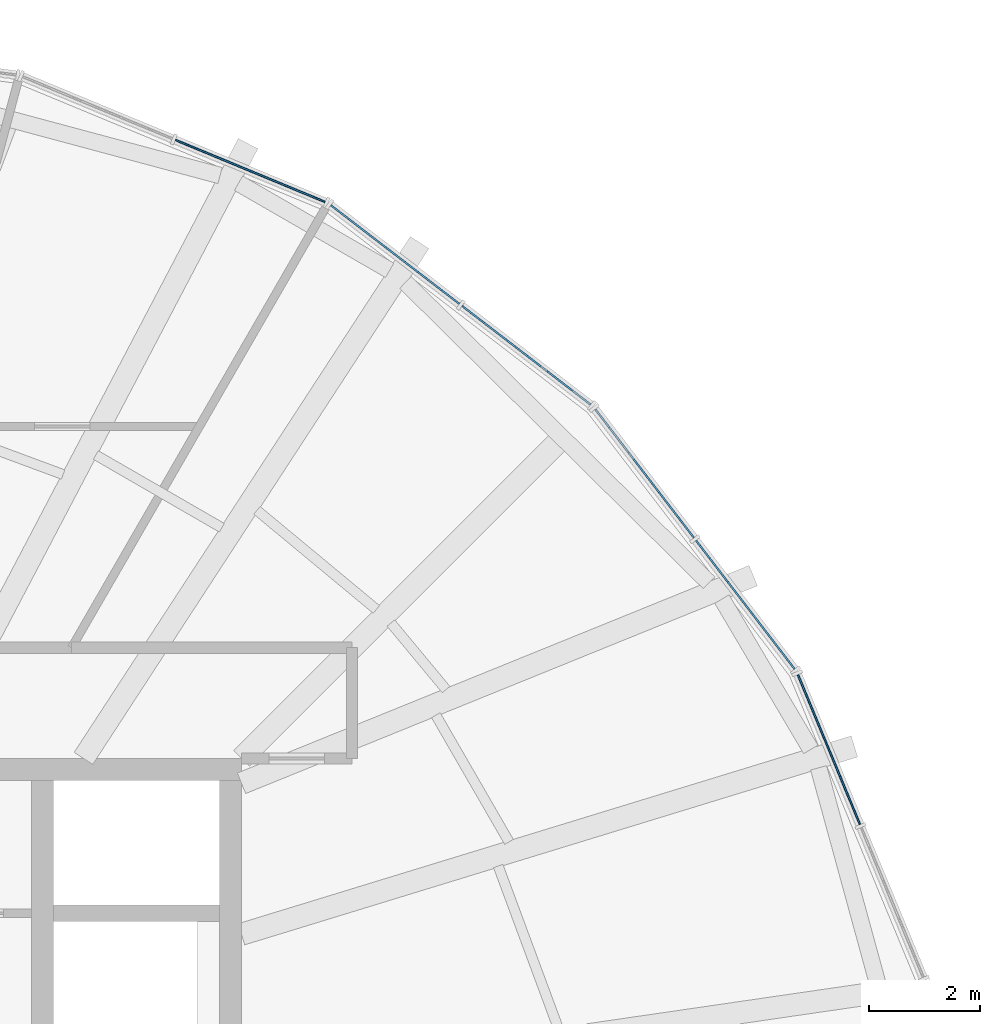
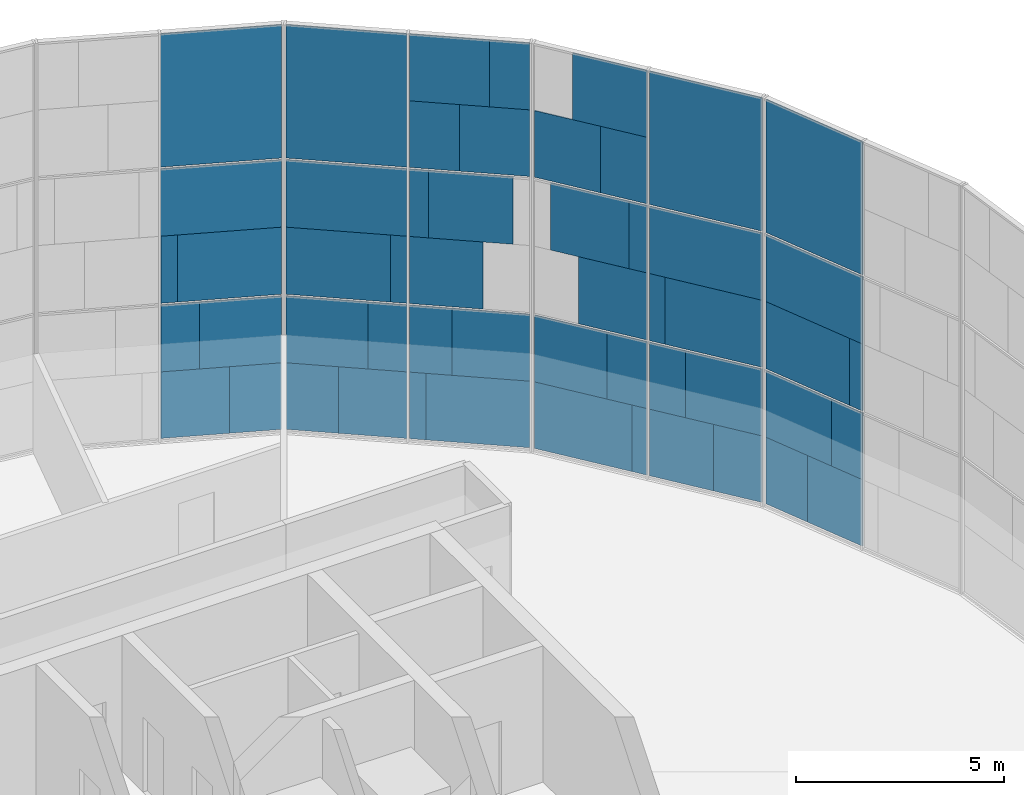
# One storey, part 18 of 23: 53 plates, 4 elements without a shape of their own.
"""IFC4 building model written with IfcOpenShell, lengths in metres."""

from ifc_helpers import new_model, si_unit, direction, frame, origin, origin_2d, place, context, subcontext, project, spatial, rectangle, extrude, material, layer, layer_set, type_object, element, aggregate, save


model = new_model("IFC4")

# Units and contexts
model_context = context("Model", 3, precision=1e-05, world=origin(), true_north=direction((0.0, 1.0)))
body_context = subcontext(model_context, "Body", "Model", "MODEL_VIEW")
ifc_project = project(units=[si_unit("LENGTHUNIT", "METRE"), si_unit("AREAUNIT", "SQUARE_METRE"), si_unit("VOLUMEUNIT", "CUBIC_METRE"), si_unit("PLANEANGLEUNIT", "RADIAN"), si_unit("MASSUNIT", "GRAM", prefix="KILO")], contexts=[model_context])

# Site, building, storey
site_placement = place(None, origin())
site = spatial("IfcSite", under=ifc_project, at=site_placement, CompositionType="ELEMENT")
building_placement = place(site_placement, origin())
building = spatial("IfcBuilding", under=site, at=building_placement, Name="Golbaran Civic Tower", CompositionType="ELEMENT")
storey_placement = place(building_placement, frame((0.0, 0.0, 220.0)))
storey = spatial("IfcBuildingStorey", under=building, at=storey_placement, Name="L53", CompositionType="ELEMENT", Elevation=220.0)

# Curtain wall, plates
ifc_material_1 = material(Name="Aluminium and glass", Category="aluminium")
curtain_wall_type = type_object("IfcCurtainWallType", Name="INNER SKIN CURTAIN WALL EXECUTIVE", PredefinedType="NOTDEFINED", material=ifc_material_1)
curtain_wall_1_placement = place(storey_placement, origin())
curtain_wall_1 = element("IfcCurtainWall", 1, at=curtain_wall_1_placement, inside=storey, type_object=curtain_wall_type, Name="Inner skin L53 facet 2 CW2", ObjectType="INNER SKIN", PredefinedType="USERDEFINED")
ifc_material_2 = material(Name="Clear insulating glass", Category="glass")
ifc_layer_1 = layer(ifc_material_2, 0.031982421875, Name="Clear insulating glass")
ifc_layer_set_1 = layer_set([ifc_layer_1], Name="Clear insulating glass")
plate_type_1 = type_object("IfcPlateType", Name="INNER SKIN CURTAIN WALL EXECUTIVE GLAZED PANEL", PredefinedType="CURTAIN_PANEL", material=ifc_layer_set_1)
plate_1_placement = place(storey_placement, frame((20.299560546875, 10.927490234375, 0.06005859375), z_axis=(0.0, 0.0, 1.0), x_axis=(-0.382683432317, 0.923879532531, 0.0)))
plate_1 = element("IfcPlate", 2, at=plate_1_placement, type_object=plate_type_1, Name="CW2 panel 2.1 part 2", PredefinedType="CURTAIN_PANEL", context=body_context, shape_type="SweptSolid", body=[
    extrude(rectangle(XDim=1.2646484375, YDim=0.031982421875, at=origin_2d()), origin(), (0.0, 0.0, 1.0), 1.955078125),
])
plate_2_placement = place(storey_placement, frame((20.437744140625, 10.593994140625, 2.014892578125), z_axis=(0.0, 0.0, 1.0), x_axis=(-0.382683432317, 0.923879532531, 0.0)))
plate_2 = element("IfcPlate", 3, at=plate_2_placement, type_object=plate_type_1, Name="CW2 panel 2.1 part 4", PredefinedType="CURTAIN_PANEL", context=body_context, shape_type="SweptSolid", body=[
    extrude(rectangle(XDim=1.986572265625, YDim=0.031982421875, at=origin_2d()), origin(), (0.0, 0.0, 1.0), 1.955078125),
])
plate_3_placement = place(storey_placement, frame((20.54150390625, 10.343505859375, 4.02978515625), z_axis=(0.0, 0.0, 1.0), x_axis=(-0.382683432317, 0.923879532531, 0.0)))
plate_3 = element("IfcPlate", 4, at=plate_3_placement, type_object=plate_type_1, Name="CW2 panel 2.2 part 2", PredefinedType="CURTAIN_PANEL", context=body_context, shape_type="SweptSolid", body=[
    extrude(rectangle(XDim=2.528564453125, YDim=0.031982421875, at=origin_2d()), origin(), (0.0, 0.0, 1.0), 1.969970703125),
])
plate_4_placement = place(storey_placement, frame((20.6181640625, 10.158203125, 6.0), z_axis=(0.0, 0.0, 1.0), x_axis=(-0.382683432317, 0.923879532531, 0.0)))
plate_4 = element("IfcPlate", 5, at=plate_4_placement, type_object=plate_type_1, Name="CW2 panel 2.2 part 3", PredefinedType="CURTAIN_PANEL", context=body_context, shape_type="SweptSolid", body=[
    extrude(rectangle(XDim=2.9296875, YDim=0.031982421875, at=origin_2d()), origin(), (0.0, 0.0, 1.0), 1.969970703125),
])
plate_5_placement = place(storey_placement, frame((20.6181640625, 10.158203125, 8.0302734375), z_axis=(0.0, 0.0, 1.0), x_axis=(-0.382683432317, 0.923879532531, 0.0)))
plate_5 = element("IfcPlate", 6, at=plate_5_placement, type_object=plate_type_1, Name="CW2 panel 2.3", PredefinedType="CURTAIN_PANEL", context=body_context, shape_type="SweptSolid", body=[
    extrude(rectangle(XDim=2.9296875, YDim=0.031982421875, at=origin_2d()), origin(), (0.0, 0.0, 1.0), 3.909912109375),
])

curtain_wall_2_placement = place(storey_placement, origin())
curtain_wall_2 = element("IfcCurtainWall", 7, at=curtain_wall_2_placement, inside=storey, type_object=curtain_wall_type, Name="Inner skin L53 facet 3 CW2", ObjectType="INNER SKIN", PredefinedType="USERDEFINED")
plate_6_placement = place(storey_placement, frame((19.61328125, 12.115966796875, 0.06005859375), z_axis=(0.0, 0.0, 1.0), x_axis=(-0.608761428981, 0.793353340312, 0.0)))
plate_6 = element("IfcPlate", 8, at=plate_6_placement, type_object=plate_type_1, Name="CW2 panel 1.1 part 1", PredefinedType="CURTAIN_PANEL", context=body_context, shape_type="SweptSolid", body=[
    extrude(rectangle(XDim=1.263916015625, YDim=0.031982421875, at=origin_2d()), origin(), (0.0, 0.0, 1.0), 1.955078125),
])
plate_7_placement = place(storey_placement, frame((19.393310546875, 12.40283203125, 2.014892578125), z_axis=(0.0, 0.0, 1.0), x_axis=(-0.608761428981, 0.793353340312, 0.0)))
plate_7 = element("IfcPlate", 9, at=plate_7_placement, type_object=plate_type_1, Name="CW2 panel 1.1 part 3", PredefinedType="CURTAIN_PANEL", context=body_context, shape_type="SweptSolid", body=[
    extrude(rectangle(XDim=1.987060546875, YDim=0.031982421875, at=origin_2d()), origin(), (0.0, 0.0, 1.0), 1.955078125),
])
plate_8_placement = place(storey_placement, frame((19.228515625, 12.617431640625, 4.02978515625), z_axis=(0.0, 0.0, 1.0), x_axis=(-0.608761428981, 0.793353340312, 0.0)))
plate_8 = element("IfcPlate", 10, at=plate_8_placement, type_object=plate_type_1, Name="CW2 panel 1.2 part 1", PredefinedType="CURTAIN_PANEL", context=body_context, shape_type="SweptSolid", body=[
    extrude(rectangle(XDim=2.528076171875, YDim=0.031982421875, at=origin_2d()), origin(), (0.0, 0.0, 1.0), 1.969970703125),
])
plate_9_placement = place(storey_placement, frame((19.1064453125, 12.776611328125, 6.0), z_axis=(0.0, 0.0, 1.0), x_axis=(-0.608761428981, 0.793353340312, 0.0)))
plate_9 = element("IfcPlate", 11, at=plate_9_placement, type_object=plate_type_1, Name="CW2 panel 1.2 part 3", PredefinedType="CURTAIN_PANEL", context=body_context, shape_type="SweptSolid", body=[
    extrude(rectangle(XDim=2.9296875, YDim=0.031982421875, at=origin_2d()), origin(), (0.0, 0.0, 1.0), 1.969970703125),
])
plate_10_placement = place(storey_placement, frame((19.1064453125, 12.776611328125, 8.0302734375), z_axis=(0.0, 0.0, 1.0), x_axis=(-0.608761428981, 0.793353340312, 0.0)))
plate_10 = element("IfcPlate", 12, at=plate_10_placement, type_object=plate_type_1, Name="CW2 panel 1.3", PredefinedType="CURTAIN_PANEL", context=body_context, shape_type="SweptSolid", body=[
    extrude(rectangle(XDim=2.9296875, YDim=0.031982421875, at=origin_2d()), origin(), (0.0, 0.0, 1.0), 3.909912109375),
])
plate_11_placement = place(storey_placement, frame((17.164794921875, 15.30712890625, 0.06005859375), z_axis=(0.0, 0.0, 1.0), x_axis=(-0.608761428981, 0.793353340312, 0.0)))
plate_11 = element("IfcPlate", 13, at=plate_11_placement, type_object=plate_type_1, Name="CW2 panel 2.1 part 2", PredefinedType="CURTAIN_PANEL", context=body_context, shape_type="SweptSolid", body=[
    extrude(rectangle(XDim=2.529541015625, YDim=0.031982421875, at=origin_2d()), origin(), (0.0, 0.0, 1.0), 1.955078125),
])
plate_12_placement = place(storey_placement, frame((16.969970703125, 15.56103515625, 2.014892578125), z_axis=(0.0, 0.0, 1.0), x_axis=(-0.608761428981, 0.793353340312, 0.0)))
plate_12 = element("IfcPlate", 14, at=plate_12_placement, type_object=plate_type_1, Name="CW2 panel 2.1 part 4", PredefinedType="CURTAIN_PANEL", context=body_context, shape_type="SweptSolid", body=[
    extrude(rectangle(XDim=1.8896484375, YDim=0.031982421875, at=origin_2d()), origin(), (0.0, 0.0, 1.0), 1.955078125),
])
plate_13_placement = place(storey_placement, frame((18.035400390625, 14.17236328125, 6.0), z_axis=(0.0, 0.0, 1.0), x_axis=(-0.608761428981, 0.793353340312, 0.0)))
plate_13 = element("IfcPlate", 15, at=plate_13_placement, type_object=plate_type_1, Name="CW2 panel 2.2 part 3", PredefinedType="CURTAIN_PANEL", context=body_context, shape_type="SweptSolid", body=[
    extrude(rectangle(XDim=0.468994140625, YDim=0.031982421875, at=origin_2d()), origin(), (0.0, 0.0, 1.0), 1.969970703125),
])
plate_14_placement = place(storey_placement, frame((17.80712890625, 14.469970703125, 8.030029296875), z_axis=(0.0, 0.0, 1.0), x_axis=(-0.608761428981, 0.793353340312, 0.0)))
plate_14 = element("IfcPlate", 16, at=plate_14_placement, type_object=plate_type_1, Name="CW2 panel 2.3 part 1", PredefinedType="CURTAIN_PANEL", context=body_context, shape_type="SweptSolid", body=[
    extrude(rectangle(XDim=1.218994140625, YDim=0.031982421875, at=origin_2d()), origin(), (0.0, 0.0, 1.0), 1.955078125),
])
plate_15_placement = place(storey_placement, frame((17.58740234375, 14.75634765625, 9.98486328125), z_axis=(0.0, 0.0, 1.0), x_axis=(-0.608761428981, 0.793353340312, 0.0)))
plate_15 = element("IfcPlate", 17, at=plate_15_placement, type_object=plate_type_1, Name="CW2 panel 2.3 part 3", PredefinedType="CURTAIN_PANEL", context=body_context, shape_type="SweptSolid", body=[
    extrude(rectangle(XDim=1.94091796875, YDim=0.031982421875, at=origin_2d()), origin(), (0.0, 0.0, 1.0), 1.955078125),
])

curtain_wall_3_placement = place(storey_placement, origin())
curtain_wall_3 = element("IfcCurtainWall", 18, at=curtain_wall_3_placement, inside=storey, type_object=curtain_wall_type, Name="Inner skin L53 facet 4 CW2", ObjectType="INNER SKIN", PredefinedType="USERDEFINED")
plate_16_placement = place(storey_placement, frame((15.307861328125, 17.164306640625, 0.06005859375), z_axis=(0.0, 0.0, 1.0), x_axis=(-0.793353340312, 0.608761428981, 0.0)))
plate_16 = element("IfcPlate", 19, at=plate_16_placement, type_object=plate_type_1, Name="CW2 panel 1.1 part 1", PredefinedType="CURTAIN_PANEL", context=body_context, shape_type="SweptSolid", body=[
    extrude(rectangle(XDim=2.528076171875, YDim=0.031982421875, at=origin_2d()), origin(), (0.0, 0.0, 1.0), 1.955078125),
])
plate_17_placement = place(storey_placement, frame((15.561279296875, 16.9697265625, 2.014892578125), z_axis=(0.0, 0.0, 1.0), x_axis=(-0.793353340312, 0.608761428981, 0.0)))
plate_17 = element("IfcPlate", 20, at=plate_17_placement, type_object=plate_type_1, Name="CW2 panel 1.1 part 3", PredefinedType="CURTAIN_PANEL", context=body_context, shape_type="SweptSolid", body=[
    extrude(rectangle(XDim=1.888916015625, YDim=0.031982421875, at=origin_2d()), origin(), (0.0, 0.0, 1.0), 1.955078125),
])
plate_18_placement = place(storey_placement, frame((14.17236328125, 18.03564453125, 6.0), z_axis=(0.0, 0.0, 1.0), x_axis=(-0.793353340312, 0.608761428981, 0.0)))
plate_18 = element("IfcPlate", 21, at=plate_18_placement, type_object=plate_type_1, Name="CW2 panel 1.2 part 5", PredefinedType="CURTAIN_PANEL", context=body_context, shape_type="SweptSolid", body=[
    extrude(rectangle(XDim=0.468505859375, YDim=0.031982421875, at=origin_2d()), origin(), (0.0, 0.0, 1.0), 1.969970703125),
])
plate_19_placement = place(storey_placement, frame((14.4697265625, 17.80712890625, 8.030029296875), z_axis=(0.0, 0.0, 1.0), x_axis=(-0.793353340312, 0.608761428981, 0.0)))
plate_19 = element("IfcPlate", 22, at=plate_19_placement, type_object=plate_type_1, Name="CW2 panel 1.3 part 2", PredefinedType="CURTAIN_PANEL", context=body_context, shape_type="SweptSolid", body=[
    extrude(rectangle(XDim=1.218505859375, YDim=0.031982421875, at=origin_2d()), origin(), (0.0, 0.0, 1.0), 1.955078125),
])
plate_20_placement = place(storey_placement, frame((14.756591796875, 17.587158203125, 9.98486328125), z_axis=(0.0, 0.0, 1.0), x_axis=(-0.793353340312, 0.608761428981, 0.0)))
plate_20 = element("IfcPlate", 23, at=plate_20_placement, type_object=plate_type_1, Name="CW2 panel 1.3 part 4", PredefinedType="CURTAIN_PANEL", context=body_context, shape_type="SweptSolid", body=[
    extrude(rectangle(XDim=1.941650390625, YDim=0.031982421875, at=origin_2d()), origin(), (0.0, 0.0, 1.0), 1.955078125),
])
plate_21_placement = place(storey_placement, frame((12.1162109375, 19.61328125, 0.06005859375), z_axis=(0.0, 0.0, 1.0), x_axis=(-0.793353340312, 0.608761428981, 0.0)))
plate_21 = element("IfcPlate", 24, at=plate_21_placement, type_object=plate_type_1, Name="CW2 panel 2.1 part 2", PredefinedType="CURTAIN_PANEL", context=body_context, shape_type="SweptSolid", body=[
    extrude(rectangle(XDim=1.2646484375, YDim=0.031982421875, at=origin_2d()), origin(), (0.0, 0.0, 1.0), 1.955078125),
])
plate_22_placement = place(storey_placement, frame((12.402587890625, 19.393310546875, 2.014892578125), z_axis=(0.0, 0.0, 1.0), x_axis=(-0.793353340312, 0.608761428981, 0.0)))
plate_22 = element("IfcPlate", 25, at=plate_22_placement, type_object=plate_type_1, Name="CW2 panel 2.1 part 4", PredefinedType="CURTAIN_PANEL", context=body_context, shape_type="SweptSolid", body=[
    extrude(rectangle(XDim=1.986572265625, YDim=0.031982421875, at=origin_2d()), origin(), (0.0, 0.0, 1.0), 1.955078125),
])
plate_23_placement = place(storey_placement, frame((12.61767578125, 19.228515625, 4.02978515625), z_axis=(0.0, 0.0, 1.0), x_axis=(-0.793353340312, 0.608761428981, 0.0)))
plate_23 = element("IfcPlate", 26, at=plate_23_placement, type_object=plate_type_1, Name="CW2 panel 2.2 part 2", PredefinedType="CURTAIN_PANEL", context=body_context, shape_type="SweptSolid", body=[
    extrude(rectangle(XDim=2.528564453125, YDim=0.031982421875, at=origin_2d()), origin(), (0.0, 0.0, 1.0), 1.969970703125),
])
plate_24_placement = place(storey_placement, frame((12.776611328125, 19.1064453125, 6.0), z_axis=(0.0, 0.0, 1.0), x_axis=(-0.793353340312, 0.608761428981, 0.0)))
plate_24 = element("IfcPlate", 27, at=plate_24_placement, type_object=plate_type_1, Name="CW2 panel 2.2 part 3", PredefinedType="CURTAIN_PANEL", context=body_context, shape_type="SweptSolid", body=[
    extrude(rectangle(XDim=2.9296875, YDim=0.031982421875, at=origin_2d()), origin(), (0.0, 0.0, 1.0), 1.969970703125),
])
plate_25_placement = place(storey_placement, frame((12.776611328125, 19.1064453125, 8.0302734375), z_axis=(0.0, 0.0, 1.0), x_axis=(-0.793353340312, 0.608761428981, 0.0)))
plate_25 = element("IfcPlate", 28, at=plate_25_placement, type_object=plate_type_1, Name="CW2 panel 2.3", PredefinedType="CURTAIN_PANEL", context=body_context, shape_type="SweptSolid", body=[
    extrude(rectangle(XDim=2.9296875, YDim=0.031982421875, at=origin_2d()), origin(), (0.0, 0.0, 1.0), 3.909912109375),
])

curtain_wall_4_placement = place(storey_placement, origin())
curtain_wall_4 = element("IfcCurtainWall", 29, at=curtain_wall_4_placement, inside=storey, type_object=curtain_wall_type, Name="Inner skin L53 facet 5 CW2", ObjectType="INNER SKIN", PredefinedType="USERDEFINED")
plate_26_placement = place(storey_placement, frame((10.927734375, 20.299560546875, 0.06005859375), z_axis=(0.0, 0.0, 1.0), x_axis=(-0.923879532531, 0.382683432317, 0.0)))
plate_26 = element("IfcPlate", 30, at=plate_26_placement, type_object=plate_type_1, Name="CW2 panel 1.1 part 1", PredefinedType="CURTAIN_PANEL", context=body_context, shape_type="SweptSolid", body=[
    extrude(rectangle(XDim=1.263916015625, YDim=0.031982421875, at=origin_2d()), origin(), (0.0, 0.0, 1.0), 1.955078125),
])
plate_27_placement = place(storey_placement, frame((10.59375, 20.437744140625, 2.014892578125), z_axis=(0.0, 0.0, 1.0), x_axis=(-0.923879532531, 0.382683432317, 0.0)))
plate_27 = element("IfcPlate", 31, at=plate_27_placement, type_object=plate_type_1, Name="CW2 panel 1.1 part 3", PredefinedType="CURTAIN_PANEL", context=body_context, shape_type="SweptSolid", body=[
    extrude(rectangle(XDim=1.987060546875, YDim=0.031982421875, at=origin_2d()), origin(), (0.0, 0.0, 1.0), 1.955078125),
])
plate_28_placement = place(storey_placement, frame((10.34375, 20.541259765625, 4.02978515625), z_axis=(0.0, 0.0, 1.0), x_axis=(-0.923879532531, 0.382683432317, 0.0)))
plate_28 = element("IfcPlate", 32, at=plate_28_placement, type_object=plate_type_1, Name="CW2 panel 1.2 part 1", PredefinedType="CURTAIN_PANEL", context=body_context, shape_type="SweptSolid", body=[
    extrude(rectangle(XDim=2.528076171875, YDim=0.031982421875, at=origin_2d()), origin(), (0.0, 0.0, 1.0), 1.969970703125),
])
plate_29_placement = place(storey_placement, frame((10.158203125, 20.6181640625, 6.0), z_axis=(0.0, 0.0, 1.0), x_axis=(-0.923879532531, 0.382683432317, 0.0)))
plate_29 = element("IfcPlate", 33, at=plate_29_placement, type_object=plate_type_1, Name="CW2 panel 1.2 part 3", PredefinedType="CURTAIN_PANEL", context=body_context, shape_type="SweptSolid", body=[
    extrude(rectangle(XDim=2.9296875, YDim=0.031982421875, at=origin_2d()), origin(), (0.0, 0.0, 1.0), 1.969970703125),
])
plate_30_placement = place(storey_placement, frame((10.158203125, 20.6181640625, 8.0302734375), z_axis=(0.0, 0.0, 1.0), x_axis=(-0.923879532531, 0.382683432317, 0.0)))
plate_30 = element("IfcPlate", 34, at=plate_30_placement, type_object=plate_type_1, Name="CW2 panel 1.3", PredefinedType="CURTAIN_PANEL", context=body_context, shape_type="SweptSolid", body=[
    extrude(rectangle(XDim=2.9296875, YDim=0.031982421875, at=origin_2d()), origin(), (0.0, 0.0, 1.0), 3.909912109375),
])

# Plate
ifc_material_3 = material(Name="Aluminium faced opaque infill panel", Category="aluminium")
ifc_layer_2 = layer(ifc_material_3, 0.031982421875, Name="Aluminium faced opaque infill panel")
ifc_layer_set_2 = layer_set([ifc_layer_2], Name="Aluminium faced opaque infill panel")
plate_type_2 = type_object("IfcPlateType", Name="INNER SKIN CURTAIN WALL EXECUTIVE OPAQUE INFILL PANEL", PredefinedType="CURTAIN_PANEL", material=ifc_layer_set_2)
plate_31_placement = place(storey_placement, frame((20.860107421875, 9.57421875, 0.06005859375), z_axis=(0.0, 0.0, 1.0), x_axis=(-0.382683432317, 0.923879532531, 0.0)))
plate_31 = element("IfcPlate", 35, at=plate_31_placement, type_object=plate_type_2, Name="CW2 infill panel 2.1 part 1", PredefinedType="CURTAIN_PANEL", context=body_context, shape_type="SweptSolid", body=[
    extrude(rectangle(XDim=1.6650390625, YDim=0.031982421875, at=origin_2d()), origin(), (0.0, 0.0, 1.0), 1.955078125),
])

plate_32_placement = place(storey_placement, frame((20.998291015625, 9.240478515625, 2.014892578125), z_axis=(0.0, 0.0, 1.0), x_axis=(-0.382683432317, 0.923879532531, 0.0)))
plate_32 = element("IfcPlate", 36, at=plate_32_placement, type_object=plate_type_2, Name="CW2 infill panel 2.1 part 3", PredefinedType="CURTAIN_PANEL", context=body_context, shape_type="SweptSolid", body=[
    extrude(rectangle(XDim=0.943115234375, YDim=0.031982421875, at=origin_2d()), origin(), (0.0, 0.0, 1.0), 1.955078125),
])

plate_33_placement = place(storey_placement, frame((21.10205078125, 8.990234375, 4.02978515625), z_axis=(0.0, 0.0, 1.0), x_axis=(-0.382683432317, 0.923879532531, 0.0)))
plate_33 = element("IfcPlate", 37, at=plate_33_placement, type_object=plate_type_2, Name="CW2 infill panel 2.2 part 1", PredefinedType="CURTAIN_PANEL", context=body_context, shape_type="SweptSolid", body=[
    extrude(rectangle(XDim=0.40087890625, YDim=0.031982421875, at=origin_2d()), origin(), (0.0, 0.0, 1.0), 1.969970703125),
])

aggregate(curtain_wall_1, [plate_31, plate_1, plate_32, plate_2, plate_33, plate_3, plate_4, plate_5])

plate_34_placement = place(storey_placement, frame((18.7216796875, 13.278076171875, 0.06005859375), z_axis=(0.0, 0.0, 1.0), x_axis=(-0.608761428981, 0.793353340312, 0.0)))
plate_34 = element("IfcPlate", 38, at=plate_34_placement, type_object=plate_type_2, Name="CW2 infill panel 1.1 part 2", PredefinedType="CURTAIN_PANEL", context=body_context, shape_type="SweptSolid", body=[
    extrude(rectangle(XDim=1.66552734375, YDim=0.031982421875, at=origin_2d()), origin(), (0.0, 0.0, 1.0), 1.955078125),
])

plate_35_placement = place(storey_placement, frame((18.501708984375, 13.56494140625, 2.014892578125), z_axis=(0.0, 0.0, 1.0), x_axis=(-0.608761428981, 0.793353340312, 0.0)))
plate_35 = element("IfcPlate", 39, at=plate_35_placement, type_object=plate_type_2, Name="CW2 infill panel 1.1 part 4", PredefinedType="CURTAIN_PANEL", context=body_context, shape_type="SweptSolid", body=[
    extrude(rectangle(XDim=0.942626953125, YDim=0.031982421875, at=origin_2d()), origin(), (0.0, 0.0, 1.0), 1.955078125),
])

plate_36_placement = place(storey_placement, frame((18.3369140625, 13.779541015625, 4.02978515625), z_axis=(0.0, 0.0, 1.0), x_axis=(-0.608761428981, 0.793353340312, 0.0)))
plate_36 = element("IfcPlate", 40, at=plate_36_placement, type_object=plate_type_2, Name="CW2 infill panel 1.2 part 2", PredefinedType="CURTAIN_PANEL", context=body_context, shape_type="SweptSolid", body=[
    extrude(rectangle(XDim=0.401611328125, YDim=0.031982421875, at=origin_2d()), origin(), (0.0, 0.0, 1.0), 1.969970703125),
])

plate_37_placement = place(storey_placement, frame((18.056396484375, 14.14501953125, 0.06005859375), z_axis=(0.0, 0.0, 1.0), x_axis=(-0.608761428981, 0.793353340312, 0.0)))
plate_37 = element("IfcPlate", 41, at=plate_37_placement, type_object=plate_type_2, Name="CW2 infill panel 2.1 part 1", PredefinedType="CURTAIN_PANEL", context=body_context, shape_type="SweptSolid", body=[
    extrude(rectangle(XDim=0.39990234375, YDim=0.031982421875, at=origin_2d()), origin(), (0.0, 0.0, 1.0), 1.955078125),
])

plate_38_placement = place(storey_placement, frame((17.861572265625, 14.39892578125, 2.014892578125), z_axis=(0.0, 0.0, 1.0), x_axis=(-0.608761428981, 0.793353340312, 0.0)))
plate_38 = element("IfcPlate", 42, at=plate_38_placement, type_object=plate_type_2, Name="CW2 infill panel 2.1 part 3", PredefinedType="CURTAIN_PANEL", context=body_context, shape_type="SweptSolid", body=[
    extrude(rectangle(XDim=1.0400390625, YDim=0.031982421875, at=origin_2d()), origin(), (0.0, 0.0, 1.0), 1.955078125),
])

plate_39_placement = place(storey_placement, frame((17.63330078125, 14.696533203125, 4.02978515625), z_axis=(0.0, 0.0, 1.0), x_axis=(-0.608761428981, 0.793353340312, 0.0)))
plate_39 = element("IfcPlate", 43, at=plate_39_placement, type_object=plate_type_2, Name="CW2 infill panel 2.2 part 1", PredefinedType="CURTAIN_PANEL", context=body_context, shape_type="SweptSolid", body=[
    extrude(rectangle(XDim=1.7900390625, YDim=0.031982421875, at=origin_2d()), origin(), (0.0, 0.0, 1.0), 1.969970703125),
])

plate_40_placement = place(storey_placement, frame((17.26904296875, 15.17138671875, 6.0), z_axis=(0.0, 0.0, 1.0), x_axis=(-0.608761428981, 0.793353340312, 0.0)))
plate_40 = element("IfcPlate", 44, at=plate_40_placement, type_object=plate_type_2, Name="CW2 infill panel 2.2 part 4", PredefinedType="CURTAIN_PANEL", context=body_context, shape_type="SweptSolid", body=[
    extrude(rectangle(XDim=2.049072265625, YDim=0.031982421875, at=origin_2d()), origin(), (0.0, 0.0, 1.0), 1.969970703125),
])

plate_41_placement = place(storey_placement, frame((16.91552734375, 15.632080078125, 8.030029296875), z_axis=(0.0, 0.0, 1.0), x_axis=(-0.608761428981, 0.793353340312, 0.0)))
plate_41 = element("IfcPlate", 45, at=plate_41_placement, type_object=plate_type_2, Name="CW2 infill panel 2.3 part 2", PredefinedType="CURTAIN_PANEL", context=body_context, shape_type="SweptSolid", body=[
    extrude(rectangle(XDim=1.710693359375, YDim=0.031982421875, at=origin_2d()), origin(), (0.0, 0.0, 1.0), 1.955078125),
])

aggregate(curtain_wall_2, [plate_6, plate_34, plate_7, plate_35, plate_8, plate_36, plate_9, plate_10, plate_37, plate_11, plate_38, plate_12, plate_39, plate_13, plate_40, plate_14, plate_41, plate_15])

plate_42_placement = place(storey_placement, frame((14.145751953125, 18.055908203125, 0.06005859375), z_axis=(0.0, 0.0, 1.0), x_axis=(-0.793353340312, 0.608761428981, 0.0)))
plate_42 = element("IfcPlate", 46, at=plate_42_placement, type_object=plate_type_2, Name="CW2 infill panel 1.1 part 2", PredefinedType="CURTAIN_PANEL", context=body_context, shape_type="SweptSolid", body=[
    extrude(rectangle(XDim=0.401611328125, YDim=0.031982421875, at=origin_2d()), origin(), (0.0, 0.0, 1.0), 1.955078125),
])

plate_43_placement = place(storey_placement, frame((14.399169921875, 17.861328125, 2.014892578125), z_axis=(0.0, 0.0, 1.0), x_axis=(-0.793353340312, 0.608761428981, 0.0)))
plate_43 = element("IfcPlate", 47, at=plate_43_placement, type_object=plate_type_2, Name="CW2 infill panel 1.1 part 4", PredefinedType="CURTAIN_PANEL", context=body_context, shape_type="SweptSolid", body=[
    extrude(rectangle(XDim=1.04052734375, YDim=0.031982421875, at=origin_2d()), origin(), (0.0, 0.0, 1.0), 1.955078125),
])

plate_44_placement = place(storey_placement, frame((14.69677734375, 17.633056640625, 4.02978515625), z_axis=(0.0, 0.0, 1.0), x_axis=(-0.793353340312, 0.608761428981, 0.0)))
plate_44 = element("IfcPlate", 48, at=plate_44_placement, type_object=plate_type_2, Name="CW2 infill panel 1.2 part 2", PredefinedType="CURTAIN_PANEL", context=body_context, shape_type="SweptSolid", body=[
    extrude(rectangle(XDim=1.79052734375, YDim=0.031982421875, at=origin_2d()), origin(), (0.0, 0.0, 1.0), 1.969970703125),
])

plate_45_placement = place(storey_placement, frame((15.1708984375, 17.269287109375, 6.0), z_axis=(0.0, 0.0, 1.0), x_axis=(-0.793353340312, 0.608761428981, 0.0)))
plate_45 = element("IfcPlate", 49, at=plate_45_placement, type_object=plate_type_2, Name="CW2 infill panel 1.2 part 4", PredefinedType="CURTAIN_PANEL", context=body_context, shape_type="SweptSolid", body=[
    extrude(rectangle(XDim=2.049072265625, YDim=0.031982421875, at=origin_2d()), origin(), (0.0, 0.0, 1.0), 1.969970703125),
])

plate_46_placement = place(storey_placement, frame((15.6318359375, 16.91552734375, 8.030029296875), z_axis=(0.0, 0.0, 1.0), x_axis=(-0.793353340312, 0.608761428981, 0.0)))
plate_46 = element("IfcPlate", 50, at=plate_46_placement, type_object=plate_type_2, Name="CW2 infill panel 1.3 part 1", PredefinedType="CURTAIN_PANEL", context=body_context, shape_type="SweptSolid", body=[
    extrude(rectangle(XDim=1.7109375, YDim=0.031982421875, at=origin_2d()), origin(), (0.0, 0.0, 1.0), 1.955078125),
])

plate_47_placement = place(storey_placement, frame((15.918701171875, 16.695556640625, 9.98486328125), z_axis=(0.0, 0.0, 1.0), x_axis=(-0.793353340312, 0.608761428981, 0.0)))
plate_47 = element("IfcPlate", 51, at=plate_47_placement, type_object=plate_type_2, Name="CW2 infill panel 1.3 part 3", PredefinedType="CURTAIN_PANEL", context=body_context, shape_type="SweptSolid", body=[
    extrude(rectangle(XDim=0.988037109375, YDim=0.031982421875, at=origin_2d()), origin(), (0.0, 0.0, 1.0), 1.955078125),
])

plate_48_placement = place(storey_placement, frame((13.2783203125, 18.721435546875, 0.06005859375), z_axis=(0.0, 0.0, 1.0), x_axis=(-0.793353340312, 0.608761428981, 0.0)))
plate_48 = element("IfcPlate", 52, at=plate_48_placement, type_object=plate_type_2, Name="CW2 infill panel 2.1 part 1", PredefinedType="CURTAIN_PANEL", context=body_context, shape_type="SweptSolid", body=[
    extrude(rectangle(XDim=1.6650390625, YDim=0.031982421875, at=origin_2d()), origin(), (0.0, 0.0, 1.0), 1.955078125),
])

plate_49_placement = place(storey_placement, frame((13.564697265625, 18.501708984375, 2.014892578125), z_axis=(0.0, 0.0, 1.0), x_axis=(-0.793353340312, 0.608761428981, 0.0)))
plate_49 = element("IfcPlate", 53, at=plate_49_placement, type_object=plate_type_2, Name="CW2 infill panel 2.1 part 3", PredefinedType="CURTAIN_PANEL", context=body_context, shape_type="SweptSolid", body=[
    extrude(rectangle(XDim=0.943115234375, YDim=0.031982421875, at=origin_2d()), origin(), (0.0, 0.0, 1.0), 1.955078125),
])

plate_50_placement = place(storey_placement, frame((13.77978515625, 18.336669921875, 4.02978515625), z_axis=(0.0, 0.0, 1.0), x_axis=(-0.793353340312, 0.608761428981, 0.0)))
plate_50 = element("IfcPlate", 54, at=plate_50_placement, type_object=plate_type_2, Name="CW2 infill panel 2.2 part 1", PredefinedType="CURTAIN_PANEL", context=body_context, shape_type="SweptSolid", body=[
    extrude(rectangle(XDim=0.40087890625, YDim=0.031982421875, at=origin_2d()), origin(), (0.0, 0.0, 1.0), 1.969970703125),
])

aggregate(curtain_wall_3, [plate_16, plate_42, plate_17, plate_43, plate_44, plate_45, plate_18, plate_46, plate_19, plate_47, plate_20, plate_48, plate_21, plate_49, plate_22, plate_50, plate_23, plate_24, plate_25])

plate_51_placement = place(storey_placement, frame((9.574462890625, 20.860107421875, 0.06005859375), z_axis=(0.0, 0.0, 1.0), x_axis=(-0.923879532531, 0.382683432317, 0.0)))
plate_51 = element("IfcPlate", 55, at=plate_51_placement, type_object=plate_type_2, Name="CW2 infill panel 1.1 part 2", PredefinedType="CURTAIN_PANEL", context=body_context, shape_type="SweptSolid", body=[
    extrude(rectangle(XDim=1.66552734375, YDim=0.031982421875, at=origin_2d()), origin(), (0.0, 0.0, 1.0), 1.955078125),
])

plate_52_placement = place(storey_placement, frame((9.240478515625, 20.998291015625, 2.014892578125), z_axis=(0.0, 0.0, 1.0), x_axis=(-0.923879532531, 0.382683432317, 0.0)))
plate_52 = element("IfcPlate", 56, at=plate_52_placement, type_object=plate_type_2, Name="CW2 infill panel 1.1 part 4", PredefinedType="CURTAIN_PANEL", context=body_context, shape_type="SweptSolid", body=[
    extrude(rectangle(XDim=0.942626953125, YDim=0.031982421875, at=origin_2d()), origin(), (0.0, 0.0, 1.0), 1.955078125),
])

plate_53_placement = place(storey_placement, frame((8.990478515625, 21.101806640625, 4.02978515625), z_axis=(0.0, 0.0, 1.0), x_axis=(-0.923879532531, 0.382683432317, 0.0)))
plate_53 = element("IfcPlate", 57, at=plate_53_placement, type_object=plate_type_2, Name="CW2 infill panel 1.2 part 2", PredefinedType="CURTAIN_PANEL", context=body_context, shape_type="SweptSolid", body=[
    extrude(rectangle(XDim=0.401611328125, YDim=0.031982421875, at=origin_2d()), origin(), (0.0, 0.0, 1.0), 1.969970703125),
])

aggregate(curtain_wall_4, [plate_26, plate_51, plate_27, plate_52, plate_28, plate_53, plate_29, plate_30])

save(model, "model.ifc")
